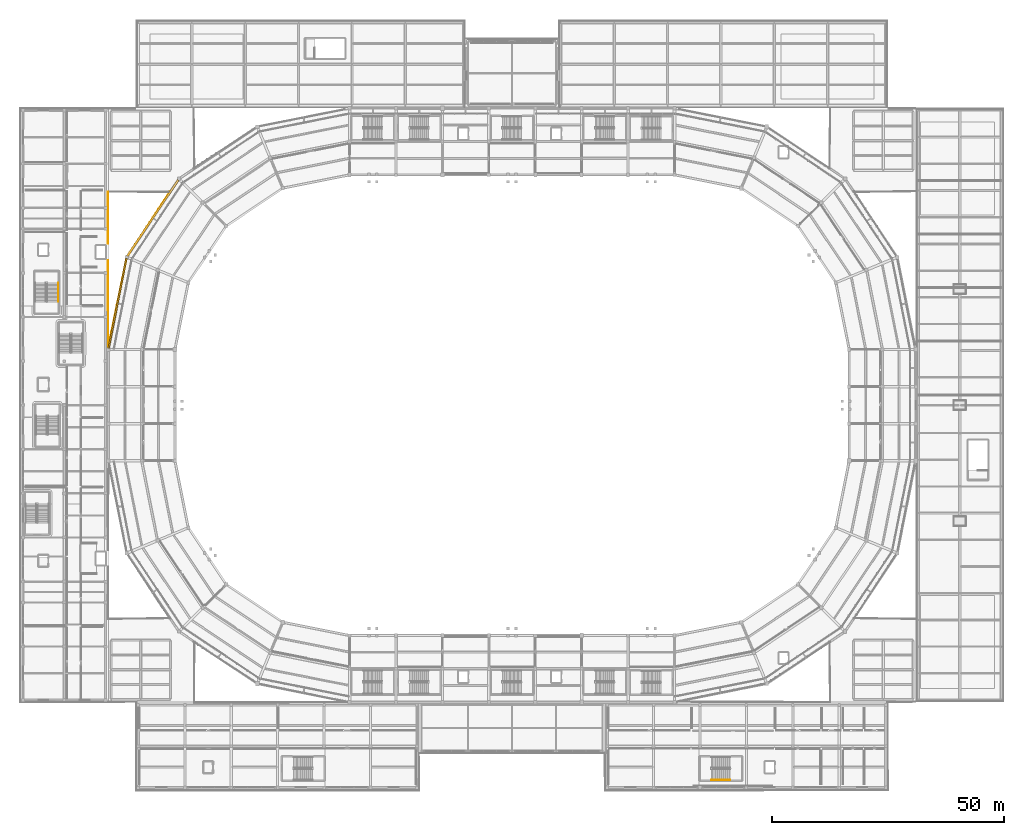
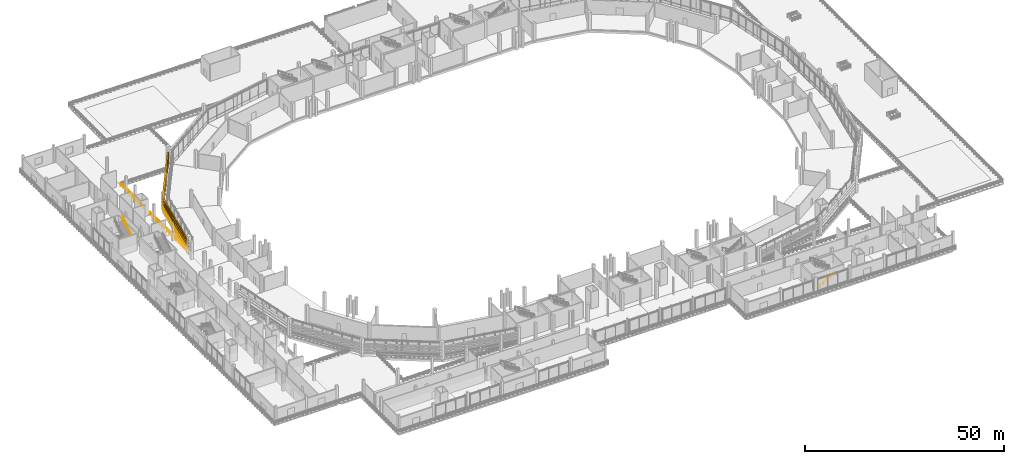
# One storey, part 97 of 111: 8 shading devices, 6 railings.
"""IFC4 building model written with IfcOpenShell, lengths in metres."""

from ifc_helpers import new_model, si_unit, direction, frame, origin, origin_2d, place, context, subcontext, project, spatial, rectangle, circle, extrude, material, layer, layer_set, type_object, element, save


model = new_model("IFC4")

# Units and contexts
model_context = context("Model", 3, precision=1e-05, world=origin(), true_north=direction((0.0, 1.0)))
body_context = subcontext(model_context, "Body", "Model", "MODEL_VIEW")
ifc_project = project(units=[si_unit("LENGTHUNIT", "METRE"), si_unit("AREAUNIT", "SQUARE_METRE"), si_unit("VOLUMEUNIT", "CUBIC_METRE"), si_unit("PLANEANGLEUNIT", "RADIAN"), si_unit("MASSUNIT", "GRAM", prefix="KILO")], contexts=[model_context])

# Site, building, storey
site_placement = place(None, origin())
site = spatial("IfcSite", under=ifc_project, at=site_placement, CompositionType="ELEMENT")
building_placement = place(site_placement, origin())
building = spatial("IfcBuilding", under=site, at=building_placement, Name="Candeia Ridge Stadium", CompositionType="ELEMENT")
storey_placement = place(building_placement, frame((0.0, 0.0, 16.199951171875)))
storey = spatial("IfcBuildingStorey", under=building, at=storey_placement, Name="L03", CompositionType="ELEMENT", Elevation=16.199951171875)

# Railings
ifc_material_1 = material(Name="Galvanized Powder-Coated Steel", Category="steel")
ifc_layer_1 = layer(ifc_material_1, 0.074951171875, Name="Galvanized Powder-Coated Steel", Category="steel")
ifc_layer_set_1 = layer_set([ifc_layer_1], Name="Galvanized Powder-Coated Steel")
railing_type_1 = type_object("IfcRailingType", Name="Spectator Bowl Front Guardrail 1120", PredefinedType="GUARDRAIL", material=ifc_layer_set_1)
railing_1_placement = place(storey_placement, frame((18.919921875, 129.0, 0.0)))
element("IfcRailing", 1, at=railing_1_placement, inside=storey, type_object=railing_type_1, Name="Deck edge safety guardrail GR-DE-L03-0178", PredefinedType="GUARDRAIL", context=body_context, shape_type="SweptSolid", body=[
    extrude(circle(Radius=0.02392578125, at=origin_2d()), frame((0.0, 0.0, 1.09619140625), z_axis=(0.0, -1.0, 0.0), x_axis=(1.0, 0.0, 0.0)), (0.0, 0.0, 1.0), 11.215087890625),
    extrude(circle(Radius=0.02392578125, at=origin_2d()), frame((0.0, 0.0, 0.56005859375), z_axis=(0.0, -1.0, 0.0), x_axis=(1.0, 0.0, 0.0)), (0.0, 0.0, 1.0), 11.215087890625),
    extrude(circle(Radius=0.02099609375, at=origin_2d()), origin(), (0.0, 0.0, 1.0), 1.072021484375),
    extrude(circle(Radius=0.02099609375, at=origin_2d()), frame((0.0, -1.12158203125, 0.0)), (0.0, 0.0, 1.0), 1.072021484375),
    extrude(circle(Radius=0.02099609375, at=origin_2d()), frame((0.0, -2.242919921875, 0.0)), (0.0, 0.0, 1.0), 1.072021484375),
    extrude(circle(Radius=0.02099609375, at=origin_2d()), frame((0.0, -3.364501953125, 0.0)), (0.0, 0.0, 1.0), 1.072021484375),
    extrude(circle(Radius=0.02099609375, at=origin_2d()), frame((0.0, -4.486083984375, 0.0)), (0.0, 0.0, 1.0), 1.072021484375),
    extrude(circle(Radius=0.02099609375, at=origin_2d()), frame((0.0, -5.607421875, 0.0)), (0.0, 0.0, 1.0), 1.072021484375),
    extrude(circle(Radius=0.02099609375, at=origin_2d()), frame((0.0, -6.72900390625, 0.0)), (0.0, 0.0, 1.0), 1.072021484375),
    extrude(circle(Radius=0.02099609375, at=origin_2d()), frame((0.0, -7.8505859375, 0.0)), (0.0, 0.0, 1.0), 1.072021484375),
    extrude(circle(Radius=0.02099609375, at=origin_2d()), frame((0.0, -8.97216796875, 0.0)), (0.0, 0.0, 1.0), 1.072021484375),
    extrude(circle(Radius=0.02099609375, at=origin_2d()), frame((0.0, -10.093505859375, 0.0)), (0.0, 0.0, 1.0), 1.072021484375),
    extrude(circle(Radius=0.02099609375, at=origin_2d()), frame((0.0, -11.215087890625, 0.0)), (0.0, 0.0, 1.0), 1.072021484375),
])
railing_2_placement = place(storey_placement, frame((18.919921875, 114.215087890625, 0.0)))
element("IfcRailing", 2, at=railing_2_placement, inside=storey, type_object=railing_type_1, Name="Deck edge safety guardrail GR-DE-L03-0179", PredefinedType="GUARDRAIL", context=body_context, shape_type="SweptSolid", body=[
    extrude(circle(Radius=0.02392578125, at=origin_2d()), frame((0.0, 0.0, 1.09619140625), z_axis=(0.003807193265, -0.999992752613, 0.0), x_axis=(0.999992752613, 0.003807193265, 0.0)), (0.0, 0.0, 1.0), 18.9814453125),
    extrude(circle(Radius=0.02392578125, at=origin_2d()), frame((0.0, 0.0, 0.56005859375), z_axis=(0.003807193265, -0.999992752613, 0.0), x_axis=(0.999992752613, 0.003807193265, 0.0)), (0.0, 0.0, 1.0), 18.9814453125),
    extrude(circle(Radius=0.02099609375, at=origin_2d()), origin(), (0.0, 0.0, 1.0), 1.072021484375),
    extrude(circle(Radius=0.02099609375, at=origin_2d()), frame((0.00439453125, -1.186279296875, 0.0)), (0.0, 0.0, 1.0), 1.072021484375),
    extrude(circle(Radius=0.02099609375, at=origin_2d()), frame((0.009033203125, -2.37255859375, 0.0)), (0.0, 0.0, 1.0), 1.072021484375),
    extrude(circle(Radius=0.02099609375, at=origin_2d()), frame((0.013671875, -3.55908203125, 0.0)), (0.0, 0.0, 1.0), 1.072021484375),
    extrude(circle(Radius=0.02099609375, at=origin_2d()), frame((0.01806640625, -4.745361328125, 0.0)), (0.0, 0.0, 1.0), 1.072021484375),
    extrude(circle(Radius=0.02099609375, at=origin_2d()), frame((0.0224609375, -5.931640625, 0.0)), (0.0, 0.0, 1.0), 1.072021484375),
    extrude(circle(Radius=0.02099609375, at=origin_2d()), frame((0.027099609375, -7.117919921875, 0.0)), (0.0, 0.0, 1.0), 1.072021484375),
    extrude(circle(Radius=0.02099609375, at=origin_2d()), frame((0.03173828125, -8.30419921875, 0.0)), (0.0, 0.0, 1.0), 1.072021484375),
    extrude(circle(Radius=0.02099609375, at=origin_2d()), frame((0.0361328125, -9.49072265625, 0.0)), (0.0, 0.0, 1.0), 1.072021484375),
    extrude(circle(Radius=0.02099609375, at=origin_2d()), frame((0.04052734375, -10.677001953125, 0.0)), (0.0, 0.0, 1.0), 1.072021484375),
    extrude(circle(Radius=0.02099609375, at=origin_2d()), frame((0.045166015625, -11.86328125, 0.0)), (0.0, 0.0, 1.0), 1.072021484375),
    extrude(circle(Radius=0.02099609375, at=origin_2d()), frame((0.0498046875, -13.049560546875, 0.0)), (0.0, 0.0, 1.0), 1.072021484375),
    extrude(circle(Radius=0.02099609375, at=origin_2d()), frame((0.05419921875, -14.23583984375, 0.0)), (0.0, 0.0, 1.0), 1.072021484375),
    extrude(circle(Radius=0.02099609375, at=origin_2d()), frame((0.05859375, -15.422119140625, 0.0)), (0.0, 0.0, 1.0), 1.072021484375),
    extrude(circle(Radius=0.02099609375, at=origin_2d()), frame((0.063232421875, -16.608642578125, 0.0)), (0.0, 0.0, 1.0), 1.072021484375),
    extrude(circle(Radius=0.02099609375, at=origin_2d()), frame((0.06787109375, -17.794921875, 0.0)), (0.0, 0.0, 1.0), 1.072021484375),
    extrude(circle(Radius=0.02099609375, at=origin_2d()), frame((0.072265625, -18.981201171875, 0.0)), (0.0, 0.0, 1.0), 1.072021484375),
])
railing_3_placement = place(storey_placement, frame((18.982666015625, 95.3232421875, 0.0)))
element("IfcRailing", 3, at=railing_3_placement, inside=storey, type_object=railing_type_1, Name="Deck edge safety guardrail GR-DE-L03-0180", PredefinedType="GUARDRAIL", context=body_context, shape_type="SweptSolid", body=[
    extrude(circle(Radius=0.02392578125, at=origin_2d()), frame((0.0, 0.0, 1.09619140625), z_axis=(0.202662673924, 0.97924861021, 0.0), x_axis=(-0.97924861021, 0.202662673924, 0.0)), (0.0, 0.0, 1.0), 19.945556640625),
    extrude(circle(Radius=0.02392578125, at=origin_2d()), frame((0.0, 0.0, 0.56005859375), z_axis=(0.202662673924, 0.97924861021, 0.0), x_axis=(-0.97924861021, 0.202662673924, 0.0)), (0.0, 0.0, 1.0), 19.945556640625),
    extrude(circle(Radius=0.02099609375, at=origin_2d()), origin(), (0.0, 0.0, 1.0), 1.072021484375),
    extrude(circle(Radius=0.02099609375, at=origin_2d()), frame((0.23779296875, 1.14892578125, 0.0)), (0.0, 0.0, 1.0), 1.072021484375),
    extrude(circle(Radius=0.02099609375, at=origin_2d()), frame((0.4755859375, 2.2978515625, 0.0)), (0.0, 0.0, 1.0), 1.072021484375),
    extrude(circle(Radius=0.02099609375, at=origin_2d()), frame((0.71337890625, 3.44677734375, 0.0)), (0.0, 0.0, 1.0), 1.072021484375),
    extrude(circle(Radius=0.02099609375, at=origin_2d()), frame((0.951171875, 4.595703125, 0.0)), (0.0, 0.0, 1.0), 1.072021484375),
    extrude(circle(Radius=0.02099609375, at=origin_2d()), frame((1.18896484375, 5.74462890625, 0.0)), (0.0, 0.0, 1.0), 1.072021484375),
    extrude(circle(Radius=0.02099609375, at=origin_2d()), frame((1.4267578125, 6.8935546875, 0.0)), (0.0, 0.0, 1.0), 1.072021484375),
    extrude(circle(Radius=0.02099609375, at=origin_2d()), frame((1.66455078125, 8.04248046875, 0.0)), (0.0, 0.0, 1.0), 1.072021484375),
    extrude(circle(Radius=0.02099609375, at=origin_2d()), frame((1.90234375, 9.19140625, 0.0)), (0.0, 0.0, 1.0), 1.072021484375),
    extrude(circle(Radius=0.02099609375, at=origin_2d()), frame((2.139892578125, 10.34033203125, 0.0)), (0.0, 0.0, 1.0), 1.072021484375),
    extrude(circle(Radius=0.02099609375, at=origin_2d()), frame((2.377685546875, 11.4892578125, 0.0)), (0.0, 0.0, 1.0), 1.072021484375),
    extrude(circle(Radius=0.02099609375, at=origin_2d()), frame((2.615478515625, 12.63818359375, 0.0)), (0.0, 0.0, 1.0), 1.072021484375),
    extrude(circle(Radius=0.02099609375, at=origin_2d()), frame((2.853271484375, 13.787109375, 0.0)), (0.0, 0.0, 1.0), 1.072021484375),
    extrude(circle(Radius=0.02099609375, at=origin_2d()), frame((3.091064453125, 14.93603515625, 0.0)), (0.0, 0.0, 1.0), 1.072021484375),
    extrude(circle(Radius=0.02099609375, at=origin_2d()), frame((3.328857421875, 16.0849609375, 0.0)), (0.0, 0.0, 1.0), 1.072021484375),
    extrude(circle(Radius=0.02099609375, at=origin_2d()), frame((3.566650390625, 17.23388671875, 0.0)), (0.0, 0.0, 1.0), 1.072021484375),
    extrude(circle(Radius=0.02099609375, at=origin_2d()), frame((3.804443359375, 18.3828125, 0.0)), (0.0, 0.0, 1.0), 1.072021484375),
    extrude(circle(Radius=0.02099609375, at=origin_2d()), frame((4.042236328125, 19.53173828125, 0.0)), (0.0, 0.0, 1.0), 1.072021484375),
])
railing_4_placement = place(storey_placement, frame((23.02490234375, 114.85498046875, 0.0)))
element("IfcRailing", 4, at=railing_4_placement, inside=storey, type_object=railing_type_1, Name="Deck edge safety guardrail GR-DE-L03-0181", PredefinedType="GUARDRAIL", context=body_context, shape_type="SweptSolid", body=[
    extrude(circle(Radius=0.02392578125, at=origin_2d()), frame((0.0, 0.0, 1.09619140625), z_axis=(0.547697653631, 0.836676329417, 0.0), x_axis=(-0.836676329417, 0.547697653631, 0.0)), (0.0, 0.0, 1.0), 16.959228515625),
    extrude(circle(Radius=0.02392578125, at=origin_2d()), frame((0.0, 0.0, 0.56005859375), z_axis=(0.547697653631, 0.836676329417, 0.0), x_axis=(-0.836676329417, 0.547697653631, 0.0)), (0.0, 0.0, 1.0), 16.959228515625),
    extrude(circle(Radius=0.02099609375, at=origin_2d()), origin(), (0.0, 0.0, 1.0), 1.072021484375),
    extrude(circle(Radius=0.02099609375, at=origin_2d()), frame((0.619140625, 0.946044921875, 0.0)), (0.0, 0.0, 1.0), 1.072021484375),
    extrude(circle(Radius=0.02099609375, at=origin_2d()), frame((1.238525390625, 1.891845703125, 0.0)), (0.0, 0.0, 1.0), 1.072021484375),
    extrude(circle(Radius=0.02099609375, at=origin_2d()), frame((1.857666015625, 2.837890625, 0.0)), (0.0, 0.0, 1.0), 1.072021484375),
    extrude(circle(Radius=0.02099609375, at=origin_2d()), frame((2.47705078125, 3.783935546875, 0.0)), (0.0, 0.0, 1.0), 1.072021484375),
    extrude(circle(Radius=0.02099609375, at=origin_2d()), frame((3.09619140625, 4.729736328125, 0.0)), (0.0, 0.0, 1.0), 1.072021484375),
    extrude(circle(Radius=0.02099609375, at=origin_2d()), frame((3.71533203125, 5.67578125, 0.0)), (0.0, 0.0, 1.0), 1.072021484375),
    extrude(circle(Radius=0.02099609375, at=origin_2d()), frame((4.334716796875, 6.621826171875, 0.0)), (0.0, 0.0, 1.0), 1.072021484375),
    extrude(circle(Radius=0.02099609375, at=origin_2d()), frame((4.953857421875, 7.567626953125, 0.0)), (0.0, 0.0, 1.0), 1.072021484375),
    extrude(circle(Radius=0.02099609375, at=origin_2d()), frame((5.5732421875, 8.513671875, 0.0)), (0.0, 0.0, 1.0), 1.072021484375),
    extrude(circle(Radius=0.02099609375, at=origin_2d()), frame((6.1923828125, 9.459716796875, 0.0)), (0.0, 0.0, 1.0), 1.072021484375),
    extrude(circle(Radius=0.02099609375, at=origin_2d()), frame((6.8115234375, 10.405517578125, 0.0)), (0.0, 0.0, 1.0), 1.072021484375),
    extrude(circle(Radius=0.02099609375, at=origin_2d()), frame((7.430908203125, 11.3515625, 0.0)), (0.0, 0.0, 1.0), 1.072021484375),
    extrude(circle(Radius=0.02099609375, at=origin_2d()), frame((8.050048828125, 12.297607421875, 0.0)), (0.0, 0.0, 1.0), 1.072021484375),
    extrude(circle(Radius=0.02099609375, at=origin_2d()), frame((8.66943359375, 13.243408203125, 0.0)), (0.0, 0.0, 1.0), 1.072021484375),
    extrude(circle(Radius=0.02099609375, at=origin_2d()), frame((9.28857421875, 14.189453125, 0.0)), (0.0, 0.0, 1.0), 1.072021484375),
])
ifc_material_2 = material(Name="Brushed Stainless Steel", Category="steel")
ifc_layer_2 = layer(ifc_material_2, 0.048095703125, Name="Brushed Stainless Steel", Category="steel")
ifc_layer_set_2 = layer_set([ifc_layer_2], Name="Brushed Stainless Steel")
railing_type_2 = type_object("IfcRailingType", Name="Stair Wall & Flight Handrail 900", PredefinedType="HANDRAIL", material=ifc_layer_set_2)
railing_5_placement = place(storey_placement, frame((8.199951171875, 105.2900390625, 2.880126953125)))
element("IfcRailing", 5, at=railing_5_placement, inside=storey, type_object=railing_type_2, Name="L03 ST06 stair handrail 2", PredefinedType="HANDRAIL", context=body_context, shape_type="SweptSolid", body=[
    extrude(circle(Radius=0.02392578125, at=origin_2d()), frame((0.0, 0.0, 0.8759765625), z_axis=(0.0, 0.849641744969, 0.527360318194), x_axis=(-1.0, 0.0, 0.0)), (0.0, 0.0, 1.0), 4.778564453125),
    extrude(circle(Radius=0.02099609375, at=origin_2d()), origin(), (0.0, 0.0, 1.0), 0.851806640625),
    extrude(circle(Radius=0.02099609375, at=origin_2d()), frame((0.0, 1.01513671875, 0.6298828125)), (0.0, 0.0, 1.0), 0.851806640625),
    extrude(circle(Radius=0.02099609375, at=origin_2d()), frame((0.0, 2.030029296875, 1.260009765625)), (0.0, 0.0, 1.0), 0.851806640625),
    extrude(circle(Radius=0.02099609375, at=origin_2d()), frame((0.0, 3.044921875, 1.89013671875)), (0.0, 0.0, 1.0), 0.851806640625),
    extrude(circle(Radius=0.02099609375, at=origin_2d()), frame((0.0, 4.06005859375, 2.52001953125)), (0.0, 0.0, 1.0), 0.851806640625),
])
railing_6_placement = place(storey_placement, frame((148.949951171875, 2.25, 0.179931640625)))
element("IfcRailing", 6, at=railing_6_placement, inside=storey, type_object=railing_type_2, Name="L03 ST14 stair handrail 1", PredefinedType="HANDRAIL", context=body_context, shape_type="SweptSolid", body=[
    extrude(circle(Radius=0.02392578125, at=origin_2d()), frame((0.0, 0.0, 0.8759765625), z_axis=(0.849641744969, 0.0, 0.527360318194), x_axis=(0.0, 1.0, 0.0)), (0.0, 0.0, 1.0), 4.778564453125),
    extrude(circle(Radius=0.02099609375, at=origin_2d()), origin(), (0.0, 0.0, 1.0), 0.851806640625),
    extrude(circle(Radius=0.02099609375, at=origin_2d()), frame((1.01513671875, 0.0, 0.6298828125)), (0.0, 0.0, 1.0), 0.851806640625),
    extrude(circle(Radius=0.02099609375, at=origin_2d()), frame((2.030029296875, 0.0, 1.260009765625)), (0.0, 0.0, 1.0), 0.851806640625),
    extrude(circle(Radius=0.02099609375, at=origin_2d()), frame((3.044921875, 0.0, 1.89013671875)), (0.0, 0.0, 1.0), 0.851806640625),
    extrude(circle(Radius=0.02099609375, at=origin_2d()), frame((4.06005859375, 0.0, 2.52001953125)), (0.0, 0.0, 1.0), 0.851806640625),
])

# Shading devices
ifc_material_3 = material(Name="Aluminium Anodized Warm Bronze", Category="aluminium")
shading_device_type_1 = type_object("IfcShadingDeviceType", Name="Weathered Bronze Horizontal Solar Rib 380x85", PredefinedType="JALOUSIE", material=ifc_material_3)
for number, where, z_axis, x_axis, name in (
    (7, (20.979248046875, 104.94970703125, 0.891357421875), (0.0, 0.0, 1.0), (-0.195090311899, -0.980785282416, 0.0), "Weathered bronze horizontal solar rib L03 bay 11-1"),
    (8, (20.979248046875, 104.94970703125, 1.825439453125), (0.0, 0.0, 1.0), (-0.195090311899, -0.980785282416, 0.0), "Weathered bronze horizontal solar rib L03 bay 11-2"),
    (9, (20.979248046875, 104.94970703125, 2.75927734375), (0.0, 0.0, 1.0), (-0.195090311899, -0.980785282416, 0.0), "Weathered bronze horizontal solar rib L03 bay 11-3"),
    (10, (20.979248046875, 104.94970703125, 3.608154296875), (0.0, 0.0, 1.0), (-0.195090311899, -0.980785282416, 0.0), "Weathered bronze horizontal solar rib L03 bay 11-4"),
):
    element("IfcShadingDevice", number, at=place(storey_placement, frame(where, z_axis=z_axis, x_axis=x_axis)), inside=storey, type_object=shading_device_type_1, Name=name, PredefinedType="JALOUSIE", context=body_context, shape_type="SweptSolid", body=[
        extrude(rectangle(XDim=19.789306640625, YDim=0.3798828125, at=origin_2d()), origin(), (0.0, 0.0, 1.0), 0.0849609375),
    ])
shading_device_type_2 = type_object("IfcShadingDeviceType", Name="Weathered Bronze Horizontal Solar Rib 440x95", PredefinedType="JALOUSIE", material=ifc_material_3)
for number, where, z_axis, x_axis, name in (
    (11, (28.59423828125, 123.33447265625, 0.87744140625), (0.0, 0.0, 1.0), (-0.555570211063, -0.831469626973, 0.0), "Weathered bronze horizontal solar rib L03 bay 10-1"),
    (12, (28.59423828125, 123.33447265625, 1.802734375), (0.0, 0.0, 1.0), (-0.555570211063, -0.831469626973, 0.0), "Weathered bronze horizontal solar rib L03 bay 10-2"),
    (13, (28.59423828125, 123.33447265625, 2.72802734375), (0.0, 0.0, 1.0), (-0.555570211063, -0.831469626973, 0.0), "Weathered bronze horizontal solar rib L03 bay 10-3"),
    (14, (28.59423828125, 123.33447265625, 3.56884765625), (0.0, 0.0, 1.0), (-0.555570211063, -0.831469626973, 0.0), "Weathered bronze horizontal solar rib L03 bay 10-4"),
):
    element("IfcShadingDevice", number, at=place(storey_placement, frame(where, z_axis=z_axis, x_axis=x_axis)), inside=storey, type_object=shading_device_type_2, Name=name, PredefinedType="JALOUSIE", context=body_context, shape_type="SweptSolid", body=[
        extrude(rectangle(XDim=19.789306640625, YDim=0.43994140625, at=origin_2d()), origin(), (0.0, 0.0, 1.0), 0.094970703125),
    ])

save(model, "model.ifc")
